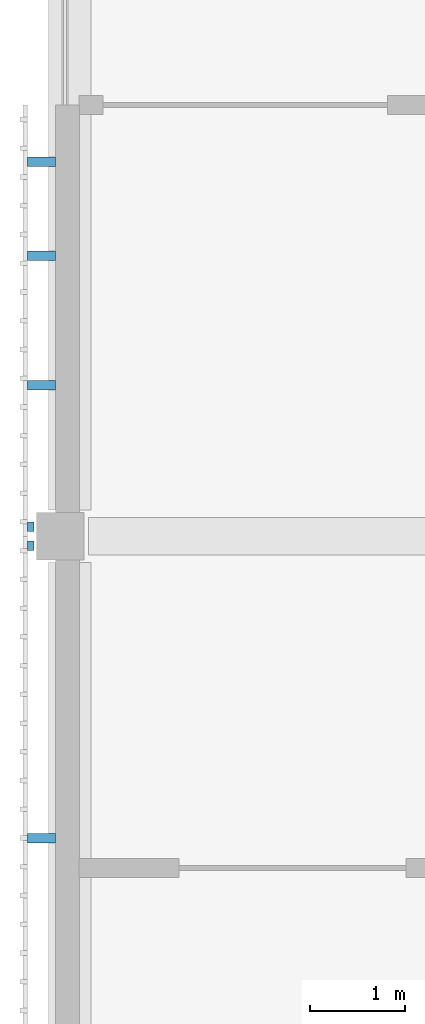
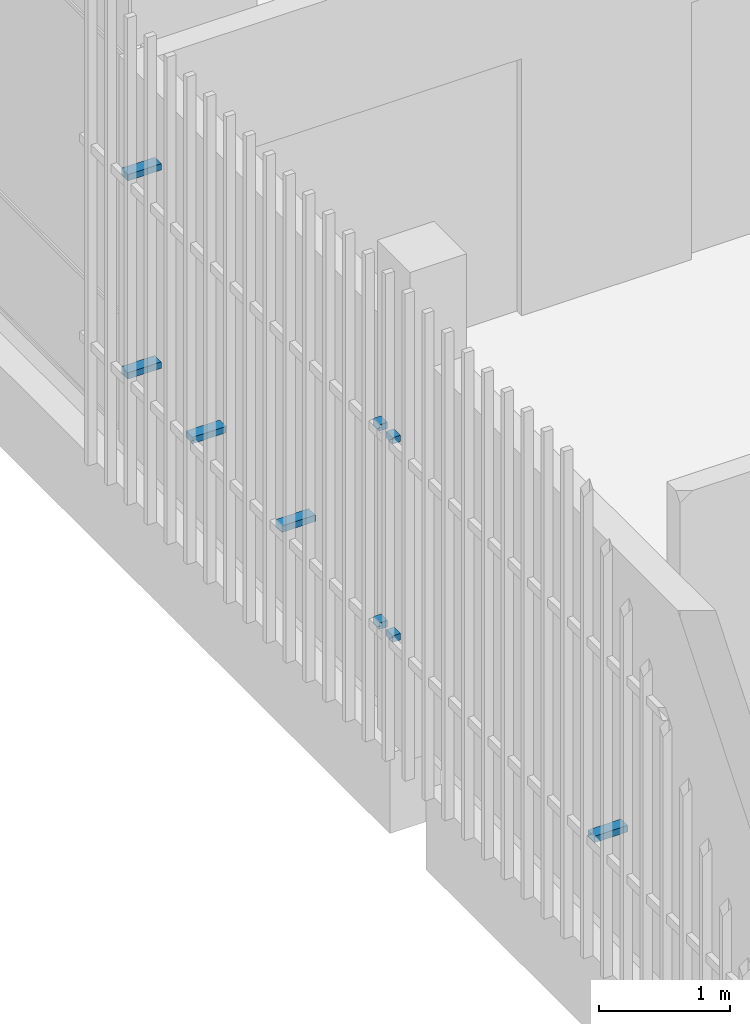
# One storey, part 64 of 91: 9 discrete accessories.
"""IFC4 building model written with IfcOpenShell, lengths in metres."""

from ifc_helpers import new_model, si_unit, direction, frame, origin, origin_2d, place, context, subcontext, project, spatial, rectangle, extrude, material, type_object, element, save


model = new_model("IFC4")

# Units and contexts
model_context = context("Model", 3, precision=1e-05, world=origin(), true_north=direction((0.0, 1.0)))
body_context = subcontext(model_context, "Body", "Model", "MODEL_VIEW")
ifc_project = project(units=[si_unit("LENGTHUNIT", "METRE"), si_unit("AREAUNIT", "SQUARE_METRE"), si_unit("VOLUMEUNIT", "CUBIC_METRE"), si_unit("PLANEANGLEUNIT", "RADIAN"), si_unit("MASSUNIT", "GRAM", prefix="KILO")], contexts=[model_context])

# Site, building, storey
site_placement = place(None, origin())
site = spatial("IfcSite", under=ifc_project, at=site_placement, CompositionType="ELEMENT")
building_placement = place(site_placement, origin())
building = spatial("IfcBuilding", under=site, at=building_placement, Name="Shirokan Park Arena", CompositionType="ELEMENT")
storey_placement = place(building_placement, frame((0.0, 0.0, 24.570068359375)))
storey = spatial("IfcBuildingStorey", under=building, at=storey_placement, Name="L05", CompositionType="ELEMENT", Elevation=24.570068359375)

# Discrete accessories
ifc_material = material(Name="Steel S355", Category="steel")
discrete_accessory_type = type_object("IfcDiscreteAccessoryType", Name="Veil bracket 100x60", PredefinedType="BRACKET", material=ifc_material)
discrete_accessory_1_placement = place(storey_placement, frame((-0.297607421875, 40.35009765625, 1.06982421875), z_axis=(0.0, 0.0, 1.0), x_axis=(0.0, -1.0, 0.0)))
element("IfcDiscreteAccessory", 1, at=discrete_accessory_1_placement, inside=storey, type_object=discrete_accessory_type, Name="Veil bracket west bay 8 L05 1", PredefinedType="BRACKET", context=body_context, shape_type="SweptSolid", body=[
    extrude(rectangle(XDim=0.10009765625, YDim=0.294921875, at=origin_2d()), origin(), (0.0, 0.0, 1.0), 0.06005859375),
])
discrete_accessory_2_placement = place(storey_placement, frame((-0.409912109375, 36.5, 1.06982421875), z_axis=(0.0, 0.0, 1.0), x_axis=(0.0, -1.0, 0.0)))
element("IfcDiscreteAccessory", 2, at=discrete_accessory_2_placement, inside=storey, type_object=discrete_accessory_type, Name="Veil bracket west bay 8 L05 2", PredefinedType="BRACKET", context=body_context, shape_type="SweptSolid", body=[
    extrude(rectangle(XDim=0.10009765625, YDim=0.070068359375, at=origin_2d()), origin(), (0.0, 0.0, 1.0), 0.06005859375),
])
discrete_accessory_3_placement = place(storey_placement, frame((-0.297607421875, 40.35009765625, 2.919921875), z_axis=(0.0, 0.0, 1.0), x_axis=(0.0, -1.0, 0.0)))
element("IfcDiscreteAccessory", 3, at=discrete_accessory_3_placement, inside=storey, type_object=discrete_accessory_type, Name="Veil bracket west bay 8 L05 3", PredefinedType="BRACKET", context=body_context, shape_type="SweptSolid", body=[
    extrude(rectangle(XDim=0.10009765625, YDim=0.294921875, at=origin_2d()), origin(), (0.0, 0.0, 1.0), 0.06005859375),
])
discrete_accessory_4_placement = place(storey_placement, frame((-0.409912109375, 36.5, 2.919921875), z_axis=(0.0, 0.0, 1.0), x_axis=(0.0, -1.0, 0.0)))
element("IfcDiscreteAccessory", 4, at=discrete_accessory_4_placement, inside=storey, type_object=discrete_accessory_type, Name="Veil bracket west bay 8 L05 4", PredefinedType="BRACKET", context=body_context, shape_type="SweptSolid", body=[
    extrude(rectangle(XDim=0.10009765625, YDim=0.070068359375, at=origin_2d()), origin(), (0.0, 0.0, 1.0), 0.06005859375),
])
for number, where, z_axis, x_axis, name in (
    (5, (-0.297607421875, 39.357421875, 1.06982421875), (0.0, 0.0, 1.0), (0.0, -1.0, 0.0), "Veil bracket west bay 8 L05 wall 1"),
    (6, (-0.297607421875, 37.992431640625, 1.06982421875), (0.0, 0.0, 1.0), (0.0, -1.0, 0.0), "Veil bracket west bay 8 L05 wall 2"),
):
    element("IfcDiscreteAccessory", number, at=place(storey_placement, frame(where, z_axis=z_axis, x_axis=x_axis)), inside=storey, type_object=discrete_accessory_type, Name=name, PredefinedType="BRACKET", context=body_context, shape_type="SweptSolid", body=[
        extrude(rectangle(XDim=0.10009765625, YDim=0.294921875, at=origin_2d()), origin(), (0.0, 0.0, 1.0), 0.06005859375),
    ])
for number, where, z_axis, x_axis, name in (
    (7, (-0.409912109375, 36.300048828125, 1.06982421875), (0.0, 0.0, 1.0), (0.0, -1.0, 0.0), "Veil bracket west bay 9 L05 1"),
    (8, (-0.409912109375, 36.300048828125, 2.919921875), (0.0, 0.0, 1.0), (0.0, -1.0, 0.0), "Veil bracket west bay 9 L05 3"),
):
    element("IfcDiscreteAccessory", number, at=place(storey_placement, frame(where, z_axis=z_axis, x_axis=x_axis)), inside=storey, type_object=discrete_accessory_type, Name=name, PredefinedType="BRACKET", context=body_context, shape_type="SweptSolid", body=[
        extrude(rectangle(XDim=0.10009765625, YDim=0.070068359375, at=origin_2d()), origin(), (0.0, 0.0, 1.0), 0.06005859375),
    ])
discrete_accessory_5_placement = place(storey_placement, frame((-0.297607421875, 33.215087890625, 1.06982421875), z_axis=(0.0, 0.0, 1.0), x_axis=(0.0, -1.0, 0.0)))
element("IfcDiscreteAccessory", 9, at=discrete_accessory_5_placement, inside=storey, type_object=discrete_accessory_type, Name="Veil bracket west bay 9 L05 wall 1", PredefinedType="BRACKET", context=body_context, shape_type="SweptSolid", body=[
    extrude(rectangle(XDim=0.10009765625, YDim=0.294921875, at=origin_2d()), origin(), (0.0, 0.0, 1.0), 0.06005859375),
])

save(model, "model.ifc")
